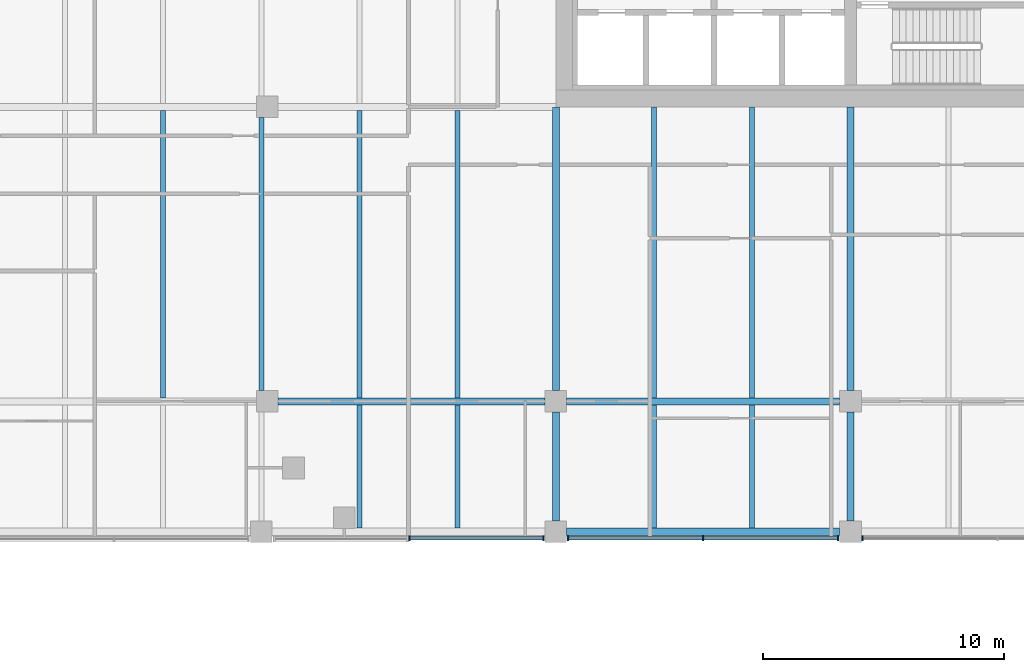
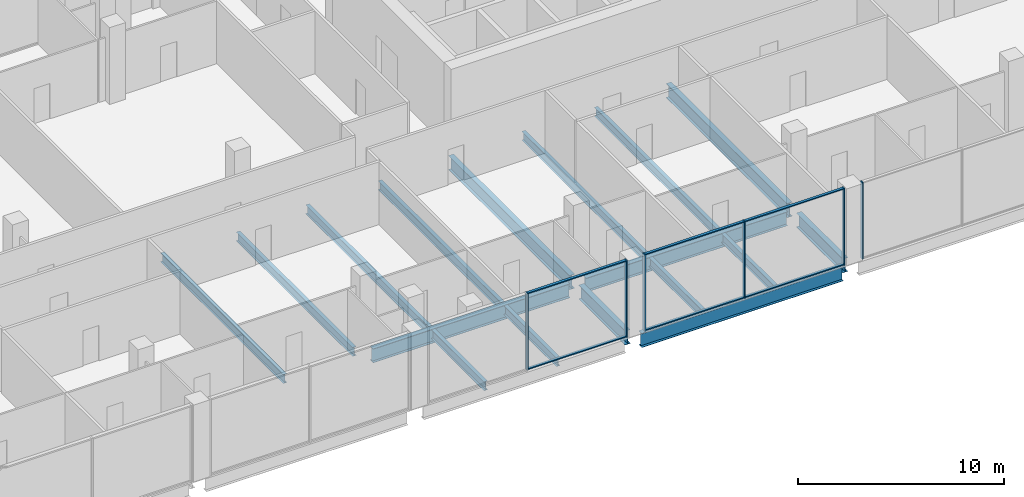
# One storey, part 8 of 33: 17 beams, 12 members, 3 elements without a shape of their own.
"""IFC4 building model written with IfcOpenShell, lengths in metres."""

from ifc_helpers import new_model, si_unit, direction, frame, origin, origin_2d, place, context, subcontext, project, spatial, rectangle, i_section, extrude, material, material_profile, profile_set, type_object, element, aggregate, save


model = new_model("IFC4")

# Units and contexts
model_context = context("Model", 3, precision=1e-05, world=origin(), true_north=direction((0.0, 1.0)))
body_context = subcontext(model_context, "Body", "Model", "MODEL_VIEW")
ifc_project = project(units=[si_unit("LENGTHUNIT", "METRE"), si_unit("AREAUNIT", "SQUARE_METRE"), si_unit("VOLUMEUNIT", "CUBIC_METRE"), si_unit("PLANEANGLEUNIT", "RADIAN"), si_unit("MASSUNIT", "GRAM", prefix="KILO")], contexts=[model_context])

# Site, building, storey
site_placement = place(None, origin())
site = spatial("IfcSite", under=ifc_project, at=site_placement, CompositionType="ELEMENT")
building_placement = place(site_placement, origin())
building = spatial("IfcBuilding", under=site, at=building_placement, Name="Tessera Gate Towers", CompositionType="ELEMENT")
storey_placement = place(building_placement, frame((0.0, 0.0, 7.199951171875)))
storey = spatial("IfcBuildingStorey", under=building, at=storey_placement, Name="L01", CompositionType="ELEMENT", Elevation=7.199951171875)

# Beams
ifc_material_1 = material(Name="Steel 350W", Category="steel")
ifc_material_profile_1 = material_profile(ifc_material_1, i_section(OverallWidth=0.2919921875, OverallDepth=0.8349609375, WebThickness=0.013916015625, FlangeThickness=0.018798828125, at=origin_2d()), Name="W840x176")
ifc_profile_set_1 = profile_set([ifc_material_profile_1], Name="Steel 350W")
beam_type_1 = type_object("IfcBeamType", Name="FLOOR GIRDER W840x176", PredefinedType="BEAM", material=ifc_profile_set_1)
beam_1_placement = place(storey_placement, frame((98.050048828125, 19.0, -0.66748046875), z_axis=(1.0, 0.0, 0.0), x_axis=(0.0, 1.0, 0.0)))
element("IfcBeam", 1, at=beam_1_placement, inside=storey, type_object=beam_type_1, Name="PD-GD-L01-192", PredefinedType="BEAM", context=body_context, shape_type="SweptSolid", body=[
    extrude(i_section(OverallWidth=0.2919921875, OverallDepth=0.8349609375, WebThickness=0.013916015625, FlangeThickness=0.018798828125, at=origin_2d()), origin(), (0.0, 0.0, 1.0), 11.300048828125),
])
beam_2_placement = place(storey_placement, frame((86.10009765625, 24.39990234375, -0.66748046875), z_axis=(1.0, 0.0, 0.0), x_axis=(0.0, 1.0, 0.0)))
element("IfcBeam", 2, at=beam_2_placement, inside=storey, type_object=beam_type_1, Name="PD-GD-L01-208", PredefinedType="BEAM", context=body_context, shape_type="SweptSolid", body=[
    extrude(i_section(OverallWidth=0.2919921875, OverallDepth=0.8349609375, WebThickness=0.013916015625, FlangeThickness=0.018798828125, at=origin_2d()), origin(), (0.0, 0.0, 1.0), 11.0498046875),
])
beam_3_placement = place(storey_placement, frame((98.050048828125, 24.39990234375, -0.66748046875), z_axis=(1.0, 0.0, 0.0), x_axis=(0.0, 1.0, 0.0)))
element("IfcBeam", 3, at=beam_3_placement, inside=storey, type_object=beam_type_1, Name="PD-GD-L01-209", PredefinedType="BEAM", context=body_context, shape_type="SweptSolid", body=[
    extrude(i_section(OverallWidth=0.2919921875, OverallDepth=0.8349609375, WebThickness=0.013916015625, FlangeThickness=0.018798828125, at=origin_2d()), origin(), (0.0, 0.0, 1.0), 11.300048828125),
])
beam_4_placement = place(storey_placement, frame((97.60009765625, 19.449951171875, -0.66748046875), z_axis=(0.0, 1.0, 0.0), x_axis=(-1.0, 0.0, 0.0)))
element("IfcBeam", 4, at=beam_4_placement, inside=storey, type_object=beam_type_1, Name="PD-GD-L01-251", PredefinedType="BEAM", context=body_context, shape_type="SweptSolid", body=[
    extrude(i_section(OverallWidth=0.2919921875, OverallDepth=0.8349609375, WebThickness=0.013916015625, FlangeThickness=0.018798828125, at=origin_2d()), origin(), (0.0, 0.0, 1.0), 4.5),
])
beam_5_placement = place(storey_placement, frame((97.60009765625, 24.85009765625, -0.66748046875), z_axis=(0.0, 1.0, 0.0), x_axis=(-1.0, 0.0, 0.0)))
element("IfcBeam", 5, at=beam_5_placement, inside=storey, type_object=beam_type_1, Name="PD-GD-L01-252", PredefinedType="BEAM", context=body_context, shape_type="SweptSolid", body=[
    extrude(i_section(OverallWidth=0.2919921875, OverallDepth=0.8349609375, WebThickness=0.013916015625, FlangeThickness=0.018798828125, at=origin_2d()), origin(), (0.0, 0.0, 1.0), 11.75),
])
beam_6_placement = place(storey_placement, frame((109.800048828125, 19.449951171875, -0.66748046875), z_axis=(0.0, 1.0, 0.0), x_axis=(-1.0, 0.0, 0.0)))
element("IfcBeam", 6, at=beam_6_placement, inside=storey, type_object=beam_type_1, Name="PD-GD-L01-253", PredefinedType="BEAM", context=body_context, shape_type="SweptSolid", body=[
    extrude(i_section(OverallWidth=0.2919921875, OverallDepth=0.8349609375, WebThickness=0.013916015625, FlangeThickness=0.018798828125, at=origin_2d()), origin(), (0.0, 0.0, 1.0), 4.5),
])
beam_7_placement = place(storey_placement, frame((109.800048828125, 24.85009765625, -0.66748046875), z_axis=(0.0, 1.0, 0.0), x_axis=(-1.0, 0.0, 0.0)))
element("IfcBeam", 7, at=beam_7_placement, inside=storey, type_object=beam_type_1, Name="PD-GD-L01-254", PredefinedType="BEAM", context=body_context, shape_type="SweptSolid", body=[
    extrude(i_section(OverallWidth=0.2919921875, OverallDepth=0.8349609375, WebThickness=0.013916015625, FlangeThickness=0.018798828125, at=origin_2d()), origin(), (0.0, 0.0, 1.0), 11.75),
])
ifc_material_2 = material(Name="Steel 350W", Category="steel")
ifc_material_profile_2 = material_profile(ifc_material_2, i_section(OverallWidth=0.208984375, OverallDepth=0.528076171875, WebThickness=0.009521484375, FlangeThickness=0.01318359375, at=origin_2d()), Name="W530x82")
ifc_profile_set_2 = profile_set([ifc_material_profile_2], Name="Steel 350W")
beam_type_2 = type_object("IfcBeamType", Name="FLOOR SECONDARY W530x82", PredefinedType="BEAM", material=ifc_profile_set_2)
beam_8_placement = place(storey_placement, frame((81.333251953125, 24.5458984375, -0.513916015625), z_axis=(0.0, 1.0, 0.0), x_axis=(-1.0, 0.0, 0.0)))
element("IfcBeam", 8, at=beam_8_placement, inside=storey, type_object=beam_type_2, Name="PD-BM-L01-314", PredefinedType="BEAM", context=body_context, shape_type="SweptSolid", body=[
    extrude(i_section(OverallWidth=0.208984375, OverallDepth=0.528076171875, WebThickness=0.009521484375, FlangeThickness=0.01318359375, at=origin_2d()), origin(), (0.0, 0.0, 1.0), 11.908203125),
])
beam_9_placement = place(storey_placement, frame((85.39990234375, 24.85009765625, -0.513916015625), z_axis=(0.0, 1.0, 0.0), x_axis=(-1.0, 0.0, 0.0)))
element("IfcBeam", 9, at=beam_9_placement, inside=storey, type_object=beam_type_2, Name="PD-BM-L01-318", PredefinedType="BEAM", context=body_context, shape_type="SweptSolid", body=[
    extrude(i_section(OverallWidth=0.208984375, OverallDepth=0.528076171875, WebThickness=0.009521484375, FlangeThickness=0.01318359375, at=origin_2d()), origin(), (0.0, 0.0, 1.0), 11.2998046875),
])
beam_10_placement = place(storey_placement, frame((89.466796875, 19.14599609375, -0.513916015625), z_axis=(0.0, 1.0, 0.0), x_axis=(-1.0, 0.0, 0.0)))
element("IfcBeam", 10, at=beam_10_placement, inside=storey, type_object=beam_type_2, Name="PD-BM-L01-321", PredefinedType="BEAM", context=body_context, shape_type="SweptSolid", body=[
    extrude(i_section(OverallWidth=0.208984375, OverallDepth=0.528076171875, WebThickness=0.009521484375, FlangeThickness=0.01318359375, at=origin_2d()), origin(), (0.0, 0.0, 1.0), 5.10791015625),
])
beam_11_placement = place(storey_placement, frame((89.466796875, 24.5458984375, -0.513916015625), z_axis=(0.0, 1.0, 0.0), x_axis=(-1.0, 0.0, 0.0)))
element("IfcBeam", 11, at=beam_11_placement, inside=storey, type_object=beam_type_2, Name="PD-BM-L01-322", PredefinedType="BEAM", context=body_context, shape_type="SweptSolid", body=[
    extrude(i_section(OverallWidth=0.208984375, OverallDepth=0.528076171875, WebThickness=0.009521484375, FlangeThickness=0.01318359375, at=origin_2d()), origin(), (0.0, 0.0, 1.0), 11.908203125),
])
beam_12_placement = place(storey_placement, frame((93.533203125, 19.14599609375, -0.513916015625), z_axis=(0.0, 1.0, 0.0), x_axis=(-1.0, 0.0, 0.0)))
element("IfcBeam", 12, at=beam_12_placement, inside=storey, type_object=beam_type_2, Name="PD-BM-L01-325", PredefinedType="BEAM", context=body_context, shape_type="SweptSolid", body=[
    extrude(i_section(OverallWidth=0.208984375, OverallDepth=0.528076171875, WebThickness=0.009521484375, FlangeThickness=0.01318359375, at=origin_2d()), origin(), (0.0, 0.0, 1.0), 5.10791015625),
])
beam_13_placement = place(storey_placement, frame((93.533203125, 24.5458984375, -0.513916015625), z_axis=(0.0, 1.0, 0.0), x_axis=(-1.0, 0.0, 0.0)))
element("IfcBeam", 13, at=beam_13_placement, inside=storey, type_object=beam_type_2, Name="PD-BM-L01-326", PredefinedType="BEAM", context=body_context, shape_type="SweptSolid", body=[
    extrude(i_section(OverallWidth=0.208984375, OverallDepth=0.528076171875, WebThickness=0.009521484375, FlangeThickness=0.01318359375, at=origin_2d()), origin(), (0.0, 0.0, 1.0), 11.908203125),
])
beam_14_placement = place(storey_placement, frame((101.666748046875, 19.14599609375, -0.513916015625), z_axis=(0.0, 1.0, 0.0), x_axis=(-1.0, 0.0, 0.0)))
element("IfcBeam", 14, at=beam_14_placement, inside=storey, type_object=beam_type_2, Name="PD-BM-L01-330", PredefinedType="BEAM", context=body_context, shape_type="SweptSolid", body=[
    extrude(i_section(OverallWidth=0.208984375, OverallDepth=0.528076171875, WebThickness=0.009521484375, FlangeThickness=0.01318359375, at=origin_2d()), origin(), (0.0, 0.0, 1.0), 5.10791015625),
])
beam_15_placement = place(storey_placement, frame((101.666748046875, 24.5458984375, -0.513916015625), z_axis=(0.0, 1.0, 0.0), x_axis=(-1.0, 0.0, 0.0)))
element("IfcBeam", 15, at=beam_15_placement, inside=storey, type_object=beam_type_2, Name="PD-BM-L01-331", PredefinedType="BEAM", context=body_context, shape_type="SweptSolid", body=[
    extrude(i_section(OverallWidth=0.208984375, OverallDepth=0.528076171875, WebThickness=0.009521484375, FlangeThickness=0.01318359375, at=origin_2d()), origin(), (0.0, 0.0, 1.0), 12.05419921875),
])
beam_16_placement = place(storey_placement, frame((105.7333984375, 19.14599609375, -0.513916015625), z_axis=(0.0, 1.0, 0.0), x_axis=(-1.0, 0.0, 0.0)))
element("IfcBeam", 16, at=beam_16_placement, inside=storey, type_object=beam_type_2, Name="PD-BM-L01-333", PredefinedType="BEAM", context=body_context, shape_type="SweptSolid", body=[
    extrude(i_section(OverallWidth=0.208984375, OverallDepth=0.528076171875, WebThickness=0.009521484375, FlangeThickness=0.01318359375, at=origin_2d()), origin(), (0.0, 0.0, 1.0), 5.10791015625),
])
beam_17_placement = place(storey_placement, frame((105.7333984375, 24.5458984375, -0.513916015625), z_axis=(0.0, 1.0, 0.0), x_axis=(-1.0, 0.0, 0.0)))
element("IfcBeam", 17, at=beam_17_placement, inside=storey, type_object=beam_type_2, Name="PD-BM-L01-334", PredefinedType="BEAM", context=body_context, shape_type="SweptSolid", body=[
    extrude(i_section(OverallWidth=0.208984375, OverallDepth=0.528076171875, WebThickness=0.009521484375, FlangeThickness=0.01318359375, at=origin_2d()), origin(), (0.0, 0.0, 1.0), 12.05419921875),
])

# Curtain wall, members
ifc_material_3 = material(Name="Aluminium frame", Category="aluminium")
curtain_wall_type = type_object("IfcCurtainWallType", Name="CW-S1 podium storefront", PredefinedType="NOTDEFINED", material=ifc_material_3)
curtain_wall_1_placement = place(storey_placement, origin())
curtain_wall_1 = element("IfcCurtainWall", 18, at=curtain_wall_1_placement, inside=storey, type_object=curtain_wall_type, Name="Curtain wall podium storefront 0161", PredefinedType="NOTDEFINED")
ifc_material_4 = material(Name="Aluminium frame", Category="aluminium")
ifc_material_profile_3 = material_profile(ifc_material_4, rectangle(XDim=0.06005859375, YDim=0.199951171875, at=origin_2d()), Name="AL 60x200")
ifc_profile_set_3 = profile_set([ifc_material_profile_3], Name="Aluminium frame")
member_type_1 = type_object("IfcMemberType", Name="MU-S1 mullion 60x200", PredefinedType="MULLION", material=ifc_profile_set_3)
member_1_placement = place(storey_placement, frame((91.530029296875, 18.72509765625, 0.0), z_axis=(0.0, 0.0, 1.0), x_axis=(1.0, 0.0, 0.0)))
member_1 = element("IfcMember", 19, at=member_1_placement, type_object=member_type_1, Name="PD-CW1-0161 mullion 1", PredefinedType="MULLION", context=body_context, shape_type="SweptSolid", body=[
    extrude(rectangle(XDim=0.06005859375, YDim=0.199951171875, at=origin_2d()), origin(), (0.0, 0.0, 1.0), 4.550048828125),
])
member_2_placement = place(storey_placement, frame((97.090087890625, 18.72509765625, 0.0), z_axis=(0.0, 0.0, 1.0), x_axis=(1.0, 0.0, 0.0)))
member_2 = element("IfcMember", 20, at=member_2_placement, type_object=member_type_1, Name="PD-CW1-0161 mullion 2", PredefinedType="MULLION", context=body_context, shape_type="SweptSolid", body=[
    extrude(rectangle(XDim=0.06005859375, YDim=0.199951171875, at=origin_2d()), origin(), (0.0, 0.0, 1.0), 4.550048828125),
])

curtain_wall_2_placement = place(storey_placement, origin())
curtain_wall_2 = element("IfcCurtainWall", 21, at=curtain_wall_2_placement, inside=storey, type_object=curtain_wall_type, Name="Curtain wall podium storefront 0162", PredefinedType="NOTDEFINED")
member_3_placement = place(storey_placement, frame((98.110107421875, 18.72509765625, 0.0), z_axis=(0.0, 0.0, 1.0), x_axis=(1.0, 0.0, 0.0)))
member_3 = element("IfcMember", 22, at=member_3_placement, type_object=member_type_1, Name="PD-CW1-0162 mullion 1", PredefinedType="MULLION", context=body_context, shape_type="SweptSolid", body=[
    extrude(rectangle(XDim=0.06005859375, YDim=0.199951171875, at=origin_2d()), origin(), (0.0, 0.0, 1.0), 4.550048828125),
])
member_4_placement = place(storey_placement, frame((103.699951171875, 18.72509765625, 0.0), z_axis=(0.0, 0.0, 1.0), x_axis=(1.0, 0.0, 0.0)))
member_4 = element("IfcMember", 23, at=member_4_placement, type_object=member_type_1, Name="PD-CW1-0162 mullion 2", PredefinedType="MULLION", context=body_context, shape_type="SweptSolid", body=[
    extrude(rectangle(XDim=0.06005859375, YDim=0.199951171875, at=origin_2d()), origin(), (0.0, 0.0, 1.0), 4.550048828125),
])
member_5_placement = place(storey_placement, frame((109.2900390625, 18.72509765625, 0.0), z_axis=(0.0, 0.0, 1.0), x_axis=(1.0, 0.0, 0.0)))
member_5 = element("IfcMember", 24, at=member_5_placement, type_object=member_type_1, Name="PD-CW1-0162 mullion 3", PredefinedType="MULLION", context=body_context, shape_type="SweptSolid", body=[
    extrude(rectangle(XDim=0.06005859375, YDim=0.199951171875, at=origin_2d()), origin(), (0.0, 0.0, 1.0), 4.550048828125),
])

# Curtain wall, member
curtain_wall_3_placement = place(storey_placement, origin())
curtain_wall_3 = element("IfcCurtainWall", 25, at=curtain_wall_3_placement, inside=storey, type_object=curtain_wall_type, Name="Curtain wall podium storefront 0163", PredefinedType="NOTDEFINED")
member_6_placement = place(storey_placement, frame((110.31005859375, 18.72509765625, 0.0), z_axis=(0.0, 0.0, 1.0), x_axis=(1.0, 0.0, 0.0)))
member_6 = element("IfcMember", 26, at=member_6_placement, type_object=member_type_1, Name="PD-CW1-0163 mullion 1", PredefinedType="MULLION", context=body_context, shape_type="SweptSolid", body=[
    extrude(rectangle(XDim=0.06005859375, YDim=0.199951171875, at=origin_2d()), origin(), (0.0, 0.0, 1.0), 4.550048828125),
])
aggregate(curtain_wall_3, [member_6])

# Member
ifc_material_5 = material(Name="Aluminium frame", Category="aluminium")
ifc_material_profile_4 = material_profile(ifc_material_5, rectangle(XDim=0.14990234375, YDim=0.06005859375, at=origin_2d()), Name="AL 60x150")
ifc_profile_set_4 = profile_set([ifc_material_profile_4], Name="Aluminium frame")
member_type_2 = type_object("IfcMemberType", Name="TR-S1 transom 60x150", PredefinedType="USERDEFINED", material=ifc_profile_set_4)
member_7_placement = place(storey_placement, frame((91.56005859375, 18.72509765625, 0.030029296875), z_axis=(1.0, 0.0, 0.0), x_axis=(0.0, 1.0, 0.0)))
member_7 = element("IfcMember", 27, at=member_7_placement, type_object=member_type_2, Name="PD-CW1-0161 transom 1.1", ObjectType="TRANSOM", PredefinedType="USERDEFINED", context=body_context, shape_type="SweptSolid", body=[
    extrude(rectangle(XDim=0.14990234375, YDim=0.06005859375, at=origin_2d()), origin(), (0.0, 0.0, 1.0), 5.5),
])

member_8_placement = place(storey_placement, frame((91.56005859375, 18.72509765625, 4.52001953125), z_axis=(1.0, 0.0, 0.0), x_axis=(0.0, 1.0, 0.0)))
member_8 = element("IfcMember", 28, at=member_8_placement, type_object=member_type_2, Name="PD-CW1-0161 transom 1.2", ObjectType="TRANSOM", PredefinedType="USERDEFINED", context=body_context, shape_type="SweptSolid", body=[
    extrude(rectangle(XDim=0.14990234375, YDim=0.06005859375, at=origin_2d()), origin(), (0.0, 0.0, 1.0), 5.5),
])

aggregate(curtain_wall_1, [member_1, member_2, member_7, member_8])

member_9_placement = place(storey_placement, frame((98.139892578125, 18.72509765625, 0.030029296875), z_axis=(1.0, 0.0, 0.0), x_axis=(0.0, 1.0, 0.0)))
member_9 = element("IfcMember", 29, at=member_9_placement, type_object=member_type_2, Name="PD-CW1-0162 transom 1.1", ObjectType="TRANSOM", PredefinedType="USERDEFINED", context=body_context, shape_type="SweptSolid", body=[
    extrude(rectangle(XDim=0.14990234375, YDim=0.06005859375, at=origin_2d()), origin(), (0.0, 0.0, 1.0), 5.530029296875),
])

member_10_placement = place(storey_placement, frame((98.139892578125, 18.72509765625, 4.52001953125), z_axis=(1.0, 0.0, 0.0), x_axis=(0.0, 1.0, 0.0)))
member_10 = element("IfcMember", 30, at=member_10_placement, type_object=member_type_2, Name="PD-CW1-0162 transom 1.2", ObjectType="TRANSOM", PredefinedType="USERDEFINED", context=body_context, shape_type="SweptSolid", body=[
    extrude(rectangle(XDim=0.14990234375, YDim=0.06005859375, at=origin_2d()), origin(), (0.0, 0.0, 1.0), 5.530029296875),
])

member_11_placement = place(storey_placement, frame((103.72998046875, 18.72509765625, 0.030029296875), z_axis=(1.0, 0.0, 0.0), x_axis=(0.0, 1.0, 0.0)))
member_11 = element("IfcMember", 31, at=member_11_placement, type_object=member_type_2, Name="PD-CW1-0162 transom 2.1", ObjectType="TRANSOM", PredefinedType="USERDEFINED", context=body_context, shape_type="SweptSolid", body=[
    extrude(rectangle(XDim=0.14990234375, YDim=0.06005859375, at=origin_2d()), origin(), (0.0, 0.0, 1.0), 5.530029296875),
])

member_12_placement = place(storey_placement, frame((103.72998046875, 18.72509765625, 4.52001953125), z_axis=(1.0, 0.0, 0.0), x_axis=(0.0, 1.0, 0.0)))
member_12 = element("IfcMember", 32, at=member_12_placement, type_object=member_type_2, Name="PD-CW1-0162 transom 2.2", ObjectType="TRANSOM", PredefinedType="USERDEFINED", context=body_context, shape_type="SweptSolid", body=[
    extrude(rectangle(XDim=0.14990234375, YDim=0.06005859375, at=origin_2d()), origin(), (0.0, 0.0, 1.0), 5.530029296875),
])

aggregate(curtain_wall_2, [member_3, member_4, member_5, member_9, member_10, member_11, member_12])

save(model, "model.ifc")
